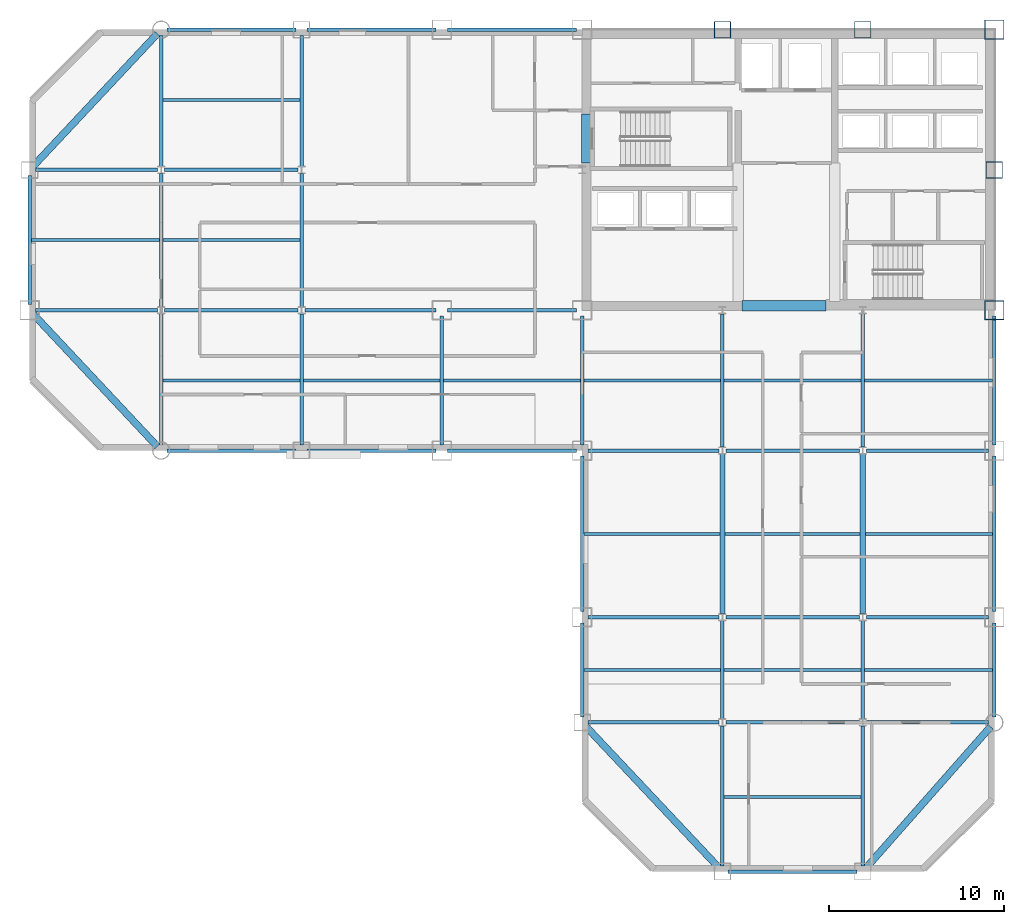
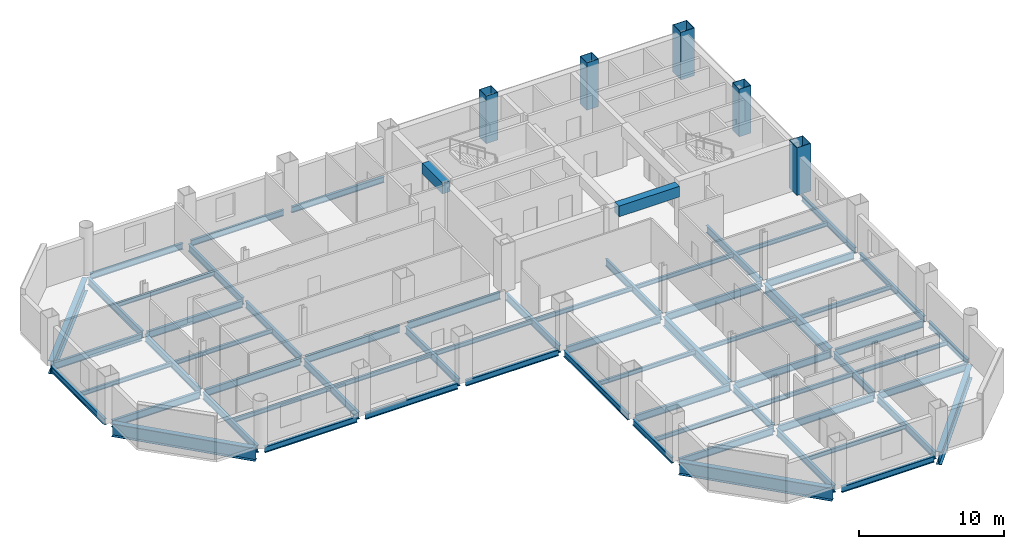
# One storey, part 4 of 10: 66 beams, 5 columns.
"""IFC4 building model written with IfcOpenShell, lengths in metres."""

from ifc_helpers import new_model, si_unit, direction, frame, origin, origin_2d, place, context, subcontext, project, spatial, rectangle, hollow_rectangle, i_section, extrude, material, material_profile, profile_set, type_object, element, save


model = new_model("IFC4")

# Units and contexts
model_context = context("Model", 3, precision=1e-05, world=origin(), true_north=direction((0.0, 1.0)))
body_context = subcontext(model_context, "Body", "Model", "MODEL_VIEW")
ifc_project = project(units=[si_unit("LENGTHUNIT", "METRE"), si_unit("AREAUNIT", "SQUARE_METRE"), si_unit("VOLUMEUNIT", "CUBIC_METRE"), si_unit("PLANEANGLEUNIT", "RADIAN"), si_unit("MASSUNIT", "GRAM", prefix="KILO")], contexts=[model_context])

# Site, building, storey
site_placement = place(None, origin())
site = spatial("IfcSite", under=ifc_project, at=site_placement, CompositionType="ELEMENT")
building_placement = place(site_placement, origin())
building = spatial("IfcBuilding", under=site, at=building_placement, Name="Qianrong Seaharbour Tower", CompositionType="ELEMENT")
storey_placement = place(building_placement, frame((0.0, 0.0, 191.0)))
storey = spatial("IfcBuildingStorey", under=building, at=storey_placement, Name="L46", CompositionType="ELEMENT", Elevation=191.0)

# Columns
ifc_material_1 = material(Name="Structural steel SN490B", Category="steel")
ifc_material_profile_1 = material_profile(ifc_material_1, hollow_rectangle(XDim=1.10009765625, YDim=1.10009765625, WallThickness=0.0400390625, at=origin_2d()), Name="BOX1100x1100x40")
ifc_profile_set_1 = profile_set([ifc_material_profile_1], Name="Structural steel SN490B")
column_type_1 = type_object("IfcColumnType", Name="COL-CFT-1100", PredefinedType="COLUMN", material=ifc_profile_set_1)
for number, where, z_axis, x_axis, name in (
    (1, (64.0, 36.0, 0.0), (0.0, 0.0, 1.0), (1.0, 0.0, 0.0), "L46 Column MC-3 at G9/GF"),
    (2, (64.0, 52.0, 0.0), (0.0, 0.0, 1.0), (1.0, 0.0, 0.0), "L46 Column MC-3 at G9/GH"),
):
    element("IfcColumn", number, at=place(storey_placement, frame(where, z_axis=z_axis, x_axis=x_axis)), inside=storey, type_object=column_type_1, Name=name, PredefinedType="COLUMN", context=body_context, shape_type="SweptSolid", body=[
        extrude(hollow_rectangle(XDim=1.10009765625, YDim=1.10009765625, WallThickness=0.0400390625, at=origin_2d()), origin(), (0.0, 0.0, 1.0), 4.0),
    ])
ifc_material_profile_2 = material_profile(ifc_material_1, hollow_rectangle(XDim=0.949951171875, YDim=0.949951171875, WallThickness=0.035888671875, at=origin_2d()), Name="BOX950x950x36")
ifc_profile_set_2 = profile_set([ifc_material_profile_2], Name="Structural steel SN490B")
column_type_2 = type_object("IfcColumnType", Name="COL-PER-950", PredefinedType="COLUMN", material=ifc_profile_set_2)
for number, where, z_axis, x_axis, name in (
    (3, (48.5, 52.0, 0.0), (0.0, 0.0, 1.0), (1.0, 0.0, 0.0), "L46 Column PC-2 at G7/GH"),
    (4, (56.5, 52.0, 0.0), (0.0, 0.0, 1.0), (1.0, 0.0, 0.0), "L46 Column PC-2 at G8/GH"),
    (5, (64.0, 44.0, 0.0), (0.0, 0.0, 1.0), (1.0, 0.0, 0.0), "L46 Column PC-2 at G9/GG"),
):
    element("IfcColumn", number, at=place(storey_placement, frame(where, z_axis=z_axis, x_axis=x_axis)), inside=storey, type_object=column_type_2, Name=name, PredefinedType="COLUMN", context=body_context, shape_type="SweptSolid", body=[
        extrude(hollow_rectangle(XDim=0.949951171875, YDim=0.949951171875, WallThickness=0.035888671875, at=origin_2d()), origin(), (0.0, 0.0, 1.0), 4.0),
    ])

# Beams
ifc_material_profile_3 = material_profile(ifc_material_1, i_section(OverallWidth=0.199951171875, OverallDepth=0.60009765625, WebThickness=0.010986328125, FlangeThickness=0.01708984375, FilletRadius=0.02197265625, at=origin_2d()), Name="H600x200x11x17")
ifc_profile_set_3 = profile_set([ifc_material_profile_3], Name="Structural steel SN490B")
beam_type_1 = type_object("IfcBeamType", Name="BM-G-600", PredefinedType="BEAM", material=ifc_profile_set_3)
beam_1_placement = place(storey_placement, frame((40.820068359375, 12.5, -0.534912109375), z_axis=(1.0, 0.0, 0.0), x_axis=(0.0, 1.0, 0.0)))
element("IfcBeam", 6, at=beam_1_placement, inside=storey, type_object=beam_type_1, Name="L46 Primary Girder GC G6-G7", PredefinedType="BEAM", context=body_context, shape_type="SweptSolid", body=[
    extrude(i_section(OverallWidth=0.199951171875, OverallDepth=0.60009765625, WebThickness=0.010986328125, FlangeThickness=0.01708984375, FilletRadius=0.02197265625, at=origin_2d()), origin(), (0.0, 0.0, 1.0), 7.47998046875),
])
beam_2_placement = place(storey_placement, frame((48.699951171875, 12.5, -0.534912109375), z_axis=(1.0, 0.0, 0.0), x_axis=(0.0, 1.0, 0.0)))
element("IfcBeam", 7, at=beam_2_placement, inside=storey, type_object=beam_type_1, Name="L46 Primary Girder GC G7-G8", PredefinedType="BEAM", context=body_context, shape_type="SweptSolid", body=[
    extrude(i_section(OverallWidth=0.199951171875, OverallDepth=0.60009765625, WebThickness=0.010986328125, FlangeThickness=0.01708984375, FilletRadius=0.02197265625, at=origin_2d()), origin(), (0.0, 0.0, 1.0), 7.60009765625),
])
beam_3_placement = place(storey_placement, frame((56.699951171875, 12.5, -0.534912109375), z_axis=(1.0, 0.0, 0.0), x_axis=(0.0, 1.0, 0.0)))
element("IfcBeam", 8, at=beam_3_placement, inside=storey, type_object=beam_type_1, Name="L46 Primary Girder GC G8-G9", PredefinedType="BEAM", context=body_context, shape_type="SweptSolid", body=[
    extrude(i_section(OverallWidth=0.199951171875, OverallDepth=0.60009765625, WebThickness=0.010986328125, FlangeThickness=0.01708984375, FilletRadius=0.02197265625, at=origin_2d()), origin(), (0.0, 0.0, 1.0), 6.97998046875),
])
beam_4_placement = place(storey_placement, frame((40.820068359375, 18.5, -0.534912109375), z_axis=(1.0, 0.0, 0.0), x_axis=(0.0, 1.0, 0.0)))
element("IfcBeam", 9, at=beam_4_placement, inside=storey, type_object=beam_type_1, Name="L46 Primary Girder GD G6-G7", PredefinedType="BEAM", context=body_context, shape_type="SweptSolid", body=[
    extrude(i_section(OverallWidth=0.199951171875, OverallDepth=0.60009765625, WebThickness=0.010986328125, FlangeThickness=0.01708984375, FilletRadius=0.02197265625, at=origin_2d()), origin(), (0.0, 0.0, 1.0), 7.47998046875),
])
beam_5_placement = place(storey_placement, frame((48.699951171875, 18.5, -0.534912109375), z_axis=(1.0, 0.0, 0.0), x_axis=(0.0, 1.0, 0.0)))
element("IfcBeam", 10, at=beam_5_placement, inside=storey, type_object=beam_type_1, Name="L46 Primary Girder GD G7-G8", PredefinedType="BEAM", context=body_context, shape_type="SweptSolid", body=[
    extrude(i_section(OverallWidth=0.199951171875, OverallDepth=0.60009765625, WebThickness=0.010986328125, FlangeThickness=0.01708984375, FilletRadius=0.02197265625, at=origin_2d()), origin(), (0.0, 0.0, 1.0), 7.60009765625),
])
beam_6_placement = place(storey_placement, frame((56.699951171875, 18.5, -0.534912109375), z_axis=(1.0, 0.0, 0.0), x_axis=(0.0, 1.0, 0.0)))
element("IfcBeam", 11, at=beam_6_placement, inside=storey, type_object=beam_type_1, Name="L46 Primary Girder GD G8-G9", PredefinedType="BEAM", context=body_context, shape_type="SweptSolid", body=[
    extrude(i_section(OverallWidth=0.199951171875, OverallDepth=0.60009765625, WebThickness=0.010986328125, FlangeThickness=0.01708984375, FilletRadius=0.02197265625, at=origin_2d()), origin(), (0.0, 0.0, 1.0), 6.97998046875),
])
beam_7_placement = place(storey_placement, frame((40.820068359375, 28.0, -0.534912109375), z_axis=(1.0, 0.0, 0.0), x_axis=(0.0, 1.0, 0.0)))
element("IfcBeam", 12, at=beam_7_placement, inside=storey, type_object=beam_type_1, Name="L46 Primary Girder GE G6-G7", PredefinedType="BEAM", context=body_context, shape_type="SweptSolid", body=[
    extrude(i_section(OverallWidth=0.199951171875, OverallDepth=0.60009765625, WebThickness=0.010986328125, FlangeThickness=0.01708984375, FilletRadius=0.02197265625, at=origin_2d()), origin(), (0.0, 0.0, 1.0), 7.47998046875),
])
beam_8_placement = place(storey_placement, frame((48.699951171875, 28.0, -0.534912109375), z_axis=(1.0, 0.0, 0.0), x_axis=(0.0, 1.0, 0.0)))
element("IfcBeam", 13, at=beam_8_placement, inside=storey, type_object=beam_type_1, Name="L46 Primary Girder GE G7-G8", PredefinedType="BEAM", context=body_context, shape_type="SweptSolid", body=[
    extrude(i_section(OverallWidth=0.199951171875, OverallDepth=0.60009765625, WebThickness=0.010986328125, FlangeThickness=0.01708984375, FilletRadius=0.02197265625, at=origin_2d()), origin(), (0.0, 0.0, 1.0), 7.60009765625),
])
for number, where, z_axis, x_axis, name in (
    (14, (56.699951171875, 28.0, -0.534912109375), (1.0, 0.0, 0.0), (0.0, 1.0, 0.0), "L46 Primary Girder GE G8-G9"),
    (15, (9.320068359375, 36.0, -0.534912109375), (1.0, 0.0, 0.0), (0.0, 1.0, 0.0), "L46 Primary Girder GF G2-G3"),
):
    element("IfcBeam", number, at=place(storey_placement, frame(where, z_axis=z_axis, x_axis=x_axis)), inside=storey, type_object=beam_type_1, Name=name, PredefinedType="BEAM", context=body_context, shape_type="SweptSolid", body=[
        extrude(i_section(OverallWidth=0.199951171875, OverallDepth=0.60009765625, WebThickness=0.010986328125, FlangeThickness=0.01708984375, FilletRadius=0.02197265625, at=origin_2d()), origin(), (0.0, 0.0, 1.0), 6.97998046875),
    ])
beam_9_placement = place(storey_placement, frame((16.699951171875, 36.0, -0.534912109375), z_axis=(1.0, 0.0, 0.0), x_axis=(0.0, 1.0, 0.0)))
element("IfcBeam", 16, at=beam_9_placement, inside=storey, type_object=beam_type_1, Name="L46 Primary Girder GF G3-G4", PredefinedType="BEAM", context=body_context, shape_type="SweptSolid", body=[
    extrude(i_section(OverallWidth=0.199951171875, OverallDepth=0.60009765625, WebThickness=0.010986328125, FlangeThickness=0.01708984375, FilletRadius=0.02197265625, at=origin_2d()), origin(), (0.0, 0.0, 1.0), 7.60009765625),
])
beam_10_placement = place(storey_placement, frame((24.699951171875, 36.0, -0.534912109375), z_axis=(1.0, 0.0, 0.0), x_axis=(0.0, 1.0, 0.0)))
element("IfcBeam", 17, at=beam_10_placement, inside=storey, type_object=beam_type_1, Name="L46 Primary Girder GF G4-G5", PredefinedType="BEAM", context=body_context, shape_type="SweptSolid", body=[
    extrude(i_section(OverallWidth=0.199951171875, OverallDepth=0.60009765625, WebThickness=0.010986328125, FlangeThickness=0.01708984375, FilletRadius=0.02197265625, at=origin_2d()), origin(), (0.0, 0.0, 1.0), 7.47998046875),
])
beam_11_placement = place(storey_placement, frame((32.820068359375, 36.0, -0.534912109375), z_axis=(1.0, 0.0, 0.0), x_axis=(0.0, 1.0, 0.0)))
element("IfcBeam", 18, at=beam_11_placement, inside=storey, type_object=beam_type_1, Name="L46 Primary Girder GF G5-G6", PredefinedType="BEAM", context=body_context, shape_type="SweptSolid", body=[
    extrude(i_section(OverallWidth=0.199951171875, OverallDepth=0.60009765625, WebThickness=0.010986328125, FlangeThickness=0.01708984375, FilletRadius=0.02197265625, at=origin_2d()), origin(), (0.0, 0.0, 1.0), 7.35986328125),
])
beam_12_placement = place(storey_placement, frame((9.320068359375, 44.0, -0.534912109375), z_axis=(1.0, 0.0, 0.0), x_axis=(0.0, 1.0, 0.0)))
element("IfcBeam", 19, at=beam_12_placement, inside=storey, type_object=beam_type_1, Name="L46 Primary Girder GG G2-G3", PredefinedType="BEAM", context=body_context, shape_type="SweptSolid", body=[
    extrude(i_section(OverallWidth=0.199951171875, OverallDepth=0.60009765625, WebThickness=0.010986328125, FlangeThickness=0.01708984375, FilletRadius=0.02197265625, at=origin_2d()), origin(), (0.0, 0.0, 1.0), 6.97998046875),
])
beam_13_placement = place(storey_placement, frame((16.699951171875, 44.0, -0.534912109375), z_axis=(1.0, 0.0, 0.0), x_axis=(0.0, 1.0, 0.0)))
element("IfcBeam", 20, at=beam_13_placement, inside=storey, type_object=beam_type_1, Name="L46 Primary Girder GG G3-G4", PredefinedType="BEAM", context=body_context, shape_type="SweptSolid", body=[
    extrude(i_section(OverallWidth=0.199951171875, OverallDepth=0.60009765625, WebThickness=0.010986328125, FlangeThickness=0.01708984375, FilletRadius=0.02197265625, at=origin_2d()), origin(), (0.0, 0.0, 1.0), 7.60009765625),
])
beam_14_placement = place(storey_placement, frame((16.5, 28.320068359375, -0.534912109375), z_axis=(0.0, 1.0, 0.0), x_axis=(-1.0, 0.0, 0.0)))
element("IfcBeam", 21, at=beam_14_placement, inside=storey, type_object=beam_type_1, Name="L46 Primary Girder G3 GE-GF", PredefinedType="BEAM", context=body_context, shape_type="SweptSolid", body=[
    extrude(i_section(OverallWidth=0.199951171875, OverallDepth=0.60009765625, WebThickness=0.010986328125, FlangeThickness=0.01708984375, FilletRadius=0.02197265625, at=origin_2d()), origin(), (0.0, 0.0, 1.0), 7.47998046875),
])
beam_15_placement = place(storey_placement, frame((16.5, 36.199951171875, -0.534912109375), z_axis=(0.0, 1.0, 0.0), x_axis=(-1.0, 0.0, 0.0)))
element("IfcBeam", 22, at=beam_15_placement, inside=storey, type_object=beam_type_1, Name="L46 Primary Girder G3 GF-GG", PredefinedType="BEAM", context=body_context, shape_type="SweptSolid", body=[
    extrude(i_section(OverallWidth=0.199951171875, OverallDepth=0.60009765625, WebThickness=0.010986328125, FlangeThickness=0.01708984375, FilletRadius=0.02197265625, at=origin_2d()), origin(), (0.0, 0.0, 1.0), 7.60009765625),
])
for number, where, z_axis, x_axis, name in (
    (23, (16.5, 44.199951171875, -0.534912109375), (0.0, 1.0, 0.0), (-1.0, 0.0, 0.0), "L46 Primary Girder G3 GG-GH"),
    (24, (24.5, 28.320068359375, -0.534912109375), (0.0, 1.0, 0.0), (-1.0, 0.0, 0.0), "L46 Primary Girder G4 GE-GF"),
):
    element("IfcBeam", number, at=place(storey_placement, frame(where, z_axis=z_axis, x_axis=x_axis)), inside=storey, type_object=beam_type_1, Name=name, PredefinedType="BEAM", context=body_context, shape_type="SweptSolid", body=[
        extrude(i_section(OverallWidth=0.199951171875, OverallDepth=0.60009765625, WebThickness=0.010986328125, FlangeThickness=0.01708984375, FilletRadius=0.02197265625, at=origin_2d()), origin(), (0.0, 0.0, 1.0), 7.47998046875),
    ])
beam_16_placement = place(storey_placement, frame((24.5, 36.199951171875, -0.534912109375), z_axis=(0.0, 1.0, 0.0), x_axis=(-1.0, 0.0, 0.0)))
element("IfcBeam", 25, at=beam_16_placement, inside=storey, type_object=beam_type_1, Name="L46 Primary Girder G4 GF-GG", PredefinedType="BEAM", context=body_context, shape_type="SweptSolid", body=[
    extrude(i_section(OverallWidth=0.199951171875, OverallDepth=0.60009765625, WebThickness=0.010986328125, FlangeThickness=0.01708984375, FilletRadius=0.02197265625, at=origin_2d()), origin(), (0.0, 0.0, 1.0), 7.60009765625),
])
beam_17_placement = place(storey_placement, frame((24.5, 44.199951171875, -0.534912109375), z_axis=(0.0, 1.0, 0.0), x_axis=(-1.0, 0.0, 0.0)))
element("IfcBeam", 26, at=beam_17_placement, inside=storey, type_object=beam_type_1, Name="L46 Primary Girder G4 GG-GH", PredefinedType="BEAM", context=body_context, shape_type="SweptSolid", body=[
    extrude(i_section(OverallWidth=0.199951171875, OverallDepth=0.60009765625, WebThickness=0.010986328125, FlangeThickness=0.01708984375, FilletRadius=0.02197265625, at=origin_2d()), origin(), (0.0, 0.0, 1.0), 7.47998046875),
])
for number, where, z_axis, x_axis, name in (
    (27, (32.5, 28.320068359375, -0.534912109375), (0.0, 1.0, 0.0), (-1.0, 0.0, 0.0), "L46 Primary Girder G5 GE-GF"),
    (28, (40.5, 28.320068359375, -0.534912109375), (0.0, 1.0, 0.0), (-1.0, 0.0, 0.0), "L46 Primary Girder G6 GE-GF"),
):
    element("IfcBeam", number, at=place(storey_placement, frame(where, z_axis=z_axis, x_axis=x_axis)), inside=storey, type_object=beam_type_1, Name=name, PredefinedType="BEAM", context=body_context, shape_type="SweptSolid", body=[
        extrude(i_section(OverallWidth=0.199951171875, OverallDepth=0.60009765625, WebThickness=0.010986328125, FlangeThickness=0.01708984375, FilletRadius=0.02197265625, at=origin_2d()), origin(), (0.0, 0.0, 1.0), 7.35986328125),
    ])
beam_18_placement = place(storey_placement, frame((48.5, 4.320068359375, -0.534912109375), z_axis=(0.0, 1.0, 0.0), x_axis=(-1.0, 0.0, 0.0)))
element("IfcBeam", 29, at=beam_18_placement, inside=storey, type_object=beam_type_1, Name="L46 Primary Girder G7 GB-GC", PredefinedType="BEAM", context=body_context, shape_type="SweptSolid", body=[
    extrude(i_section(OverallWidth=0.199951171875, OverallDepth=0.60009765625, WebThickness=0.010986328125, FlangeThickness=0.01708984375, FilletRadius=0.02197265625, at=origin_2d()), origin(), (0.0, 0.0, 1.0), 7.97998046875),
])
beam_19_placement = place(storey_placement, frame((48.5, 12.699951171875, -0.534912109375), z_axis=(0.0, 1.0, 0.0), x_axis=(-1.0, 0.0, 0.0)))
element("IfcBeam", 30, at=beam_19_placement, inside=storey, type_object=beam_type_1, Name="L46 Primary Girder G7 GC-GD", PredefinedType="BEAM", context=body_context, shape_type="SweptSolid", body=[
    extrude(i_section(OverallWidth=0.199951171875, OverallDepth=0.60009765625, WebThickness=0.010986328125, FlangeThickness=0.01708984375, FilletRadius=0.02197265625, at=origin_2d()), origin(), (0.0, 0.0, 1.0), 5.60009765625),
])
beam_20_placement = place(storey_placement, frame((48.5, 28.199951171875, -0.534912109375), z_axis=(0.0, 1.0, 0.0), x_axis=(-1.0, 0.0, 0.0)))
element("IfcBeam", 31, at=beam_20_placement, inside=storey, type_object=beam_type_1, Name="L46 Primary Girder G7 GE-GF", PredefinedType="BEAM", context=body_context, shape_type="SweptSolid", body=[
    extrude(i_section(OverallWidth=0.199951171875, OverallDepth=0.60009765625, WebThickness=0.010986328125, FlangeThickness=0.01708984375, FilletRadius=0.02197265625, at=origin_2d()), origin(), (0.0, 0.0, 1.0), 7.60009765625),
])
beam_21_placement = place(storey_placement, frame((56.5, 4.320068359375, -0.534912109375), z_axis=(0.0, 1.0, 0.0), x_axis=(-1.0, 0.0, 0.0)))
element("IfcBeam", 32, at=beam_21_placement, inside=storey, type_object=beam_type_1, Name="L46 Primary Girder G8 GB-GC", PredefinedType="BEAM", context=body_context, shape_type="SweptSolid", body=[
    extrude(i_section(OverallWidth=0.199951171875, OverallDepth=0.60009765625, WebThickness=0.010986328125, FlangeThickness=0.01708984375, FilletRadius=0.02197265625, at=origin_2d()), origin(), (0.0, 0.0, 1.0), 7.97998046875),
])
beam_22_placement = place(storey_placement, frame((56.5, 12.699951171875, -0.534912109375), z_axis=(0.0, 1.0, 0.0), x_axis=(-1.0, 0.0, 0.0)))
element("IfcBeam", 33, at=beam_22_placement, inside=storey, type_object=beam_type_1, Name="L46 Primary Girder G8 GC-GD", PredefinedType="BEAM", context=body_context, shape_type="SweptSolid", body=[
    extrude(i_section(OverallWidth=0.199951171875, OverallDepth=0.60009765625, WebThickness=0.010986328125, FlangeThickness=0.01708984375, FilletRadius=0.02197265625, at=origin_2d()), origin(), (0.0, 0.0, 1.0), 5.60009765625),
])
beam_23_placement = place(storey_placement, frame((56.5, 28.199951171875, -0.534912109375), z_axis=(0.0, 1.0, 0.0), x_axis=(-1.0, 0.0, 0.0)))
element("IfcBeam", 34, at=beam_23_placement, inside=storey, type_object=beam_type_1, Name="L46 Primary Girder G8 GE-GF", PredefinedType="BEAM", context=body_context, shape_type="SweptSolid", body=[
    extrude(i_section(OverallWidth=0.199951171875, OverallDepth=0.60009765625, WebThickness=0.010986328125, FlangeThickness=0.01708984375, FilletRadius=0.02197265625, at=origin_2d()), origin(), (0.0, 0.0, 1.0), 7.60009765625),
])
ifc_material_profile_4 = material_profile(ifc_material_1, i_section(OverallWidth=0.300048828125, OverallDepth=0.800048828125, WebThickness=0.013916015625, FlangeThickness=0.02587890625, FilletRadius=0.028076171875, at=origin_2d()), Name="H800x300x14x26")
ifc_profile_set_4 = profile_set([ifc_material_profile_4], Name="Structural steel SN490B")
beam_type_2 = type_object("IfcBeamType", Name="BM-G-800", PredefinedType="BEAM", material=ifc_profile_set_4)
for number, where, z_axis, x_axis, name in (
    (35, (48.5, 18.699951171875, -0.635009765625), (0.0, 1.0, 0.0), (-1.0, 0.0, 0.0), "L46 Primary Girder G7 GD-GE"),
    (36, (56.5, 18.699951171875, -0.635009765625), (0.0, 1.0, 0.0), (-1.0, 0.0, 0.0), "L46 Primary Girder G8 GD-GE"),
):
    element("IfcBeam", number, at=place(storey_placement, frame(where, z_axis=z_axis, x_axis=x_axis)), inside=storey, type_object=beam_type_2, Name=name, PredefinedType="BEAM", context=body_context, shape_type="SweptSolid", body=[
        extrude(i_section(OverallWidth=0.300048828125, OverallDepth=0.800048828125, WebThickness=0.013916015625, FlangeThickness=0.02587890625, FilletRadius=0.028076171875, at=origin_2d()), origin(), (0.0, 0.0, 1.0), 9.10009765625),
    ])
ifc_material_2 = material(Name="Structural steel SN400B", Category="steel")
ifc_material_profile_5 = material_profile(ifc_material_2, i_section(OverallWidth=0.175048828125, OverallDepth=0.35009765625, WebThickness=0.007080078125, FlangeThickness=0.010986328125, FilletRadius=0.013916015625, at=origin_2d()), Name="H350x175x7x11")
ifc_profile_set_5 = profile_set([ifc_material_profile_5], Name="Structural steel SN400B")
beam_type_3 = type_object("IfcBeamType", Name="BM-J-350", PredefinedType="JOIST", material=ifc_profile_set_5)
beam_24_placement = place(storey_placement, frame((9.10009765625, 40.0, -0.409912109375), z_axis=(1.0, 0.0, 0.0), x_axis=(0.0, 1.0, 0.0)))
element("IfcBeam", 37, at=beam_24_placement, inside=storey, type_object=beam_type_3, Name="L46 Composite Floor Joist G2-G3/GF-GG", PredefinedType="JOIST", context=body_context, shape_type="SweptSolid", body=[
    extrude(i_section(OverallWidth=0.175048828125, OverallDepth=0.35009765625, WebThickness=0.007080078125, FlangeThickness=0.010986328125, FilletRadius=0.013916015625, at=origin_2d()), origin(), (0.0, 0.0, 1.0), 7.2998046875),
])
for number, where, z_axis, x_axis, name in (
    (38, (16.60009765625, 32.0, -0.409912109375), (1.0, 0.0, 0.0), (0.0, 1.0, 0.0), "L46 Composite Floor Joist G3-G4/GE-GF"),
    (39, (16.60009765625, 40.0, -0.409912109375), (1.0, 0.0, 0.0), (0.0, 1.0, 0.0), "L46 Composite Floor Joist G3-G4/GF-GG"),
    (40, (16.60009765625, 48.0, -0.409912109375), (1.0, 0.0, 0.0), (0.0, 1.0, 0.0), "L46 Composite Floor Joist G3-G4/GG-GH"),
    (41, (24.60009765625, 32.0, -0.409912109375), (1.0, 0.0, 0.0), (0.0, 1.0, 0.0), "L46 Composite Floor Joist G4-G5/GE-GF"),
    (42, (32.60009765625, 32.0, -0.409912109375), (1.0, 0.0, 0.0), (0.0, 1.0, 0.0), "L46 Composite Floor Joist G5-G6/GE-GF"),
    (43, (40.60009765625, 15.5, -0.409912109375), (1.0, 0.0, 0.0), (0.0, 1.0, 0.0), "L46 Composite Floor Joist G6-G7/GC-GD"),
):
    element("IfcBeam", number, at=place(storey_placement, frame(where, z_axis=z_axis, x_axis=x_axis)), inside=storey, type_object=beam_type_3, Name=name, PredefinedType="JOIST", context=body_context, shape_type="SweptSolid", body=[
        extrude(i_section(OverallWidth=0.175048828125, OverallDepth=0.35009765625, WebThickness=0.007080078125, FlangeThickness=0.010986328125, FilletRadius=0.013916015625, at=origin_2d()), origin(), (0.0, 0.0, 1.0), 7.7998046875),
    ])
beam_25_placement = place(storey_placement, frame((40.60009765625, 23.25, -0.409912109375), z_axis=(1.0, 0.0, 0.0), x_axis=(0.0, 1.0, 0.0)))
element("IfcBeam", 44, at=beam_25_placement, inside=storey, type_object=beam_type_3, Name="L46 Composite Floor Joist G6-G7/GD-GE", PredefinedType="JOIST", context=body_context, shape_type="SweptSolid", body=[
    extrude(i_section(OverallWidth=0.175048828125, OverallDepth=0.35009765625, WebThickness=0.007080078125, FlangeThickness=0.010986328125, FilletRadius=0.013916015625, at=origin_2d()), origin(), (0.0, 0.0, 1.0), 7.75),
])
for number, where, z_axis, x_axis, name in (
    (45, (40.60009765625, 32.0, -0.409912109375), (1.0, 0.0, 0.0), (0.0, 1.0, 0.0), "L46 Composite Floor Joist G6-G7/GE-GF"),
    (46, (48.60009765625, 8.25, -0.409912109375), (1.0, 0.0, 0.0), (0.0, 1.0, 0.0), "L46 Composite Floor Joist G7-G8/GB-GC"),
    (47, (48.60009765625, 15.5, -0.409912109375), (1.0, 0.0, 0.0), (0.0, 1.0, 0.0), "L46 Composite Floor Joist G7-G8/GC-GD"),
):
    element("IfcBeam", number, at=place(storey_placement, frame(where, z_axis=z_axis, x_axis=x_axis)), inside=storey, type_object=beam_type_3, Name=name, PredefinedType="JOIST", context=body_context, shape_type="SweptSolid", body=[
        extrude(i_section(OverallWidth=0.175048828125, OverallDepth=0.35009765625, WebThickness=0.007080078125, FlangeThickness=0.010986328125, FilletRadius=0.013916015625, at=origin_2d()), origin(), (0.0, 0.0, 1.0), 7.7998046875),
    ])
beam_26_placement = place(storey_placement, frame((48.64990234375, 23.25, -0.409912109375), z_axis=(1.0, 0.0, 0.0), x_axis=(0.0, 1.0, 0.0)))
element("IfcBeam", 48, at=beam_26_placement, inside=storey, type_object=beam_type_3, Name="L46 Composite Floor Joist G7-G8/GD-GE", PredefinedType="JOIST", context=body_context, shape_type="SweptSolid", body=[
    extrude(i_section(OverallWidth=0.175048828125, OverallDepth=0.35009765625, WebThickness=0.007080078125, FlangeThickness=0.010986328125, FilletRadius=0.013916015625, at=origin_2d()), origin(), (0.0, 0.0, 1.0), 7.7001953125),
])
beam_27_placement = place(storey_placement, frame((48.60009765625, 32.0, -0.409912109375), z_axis=(1.0, 0.0, 0.0), x_axis=(0.0, 1.0, 0.0)))
element("IfcBeam", 49, at=beam_27_placement, inside=storey, type_object=beam_type_3, Name="L46 Composite Floor Joist G7-G8/GE-GF", PredefinedType="JOIST", context=body_context, shape_type="SweptSolid", body=[
    extrude(i_section(OverallWidth=0.175048828125, OverallDepth=0.35009765625, WebThickness=0.007080078125, FlangeThickness=0.010986328125, FilletRadius=0.013916015625, at=origin_2d()), origin(), (0.0, 0.0, 1.0), 7.7998046875),
])
beam_28_placement = place(storey_placement, frame((56.60009765625, 15.5, -0.409912109375), z_axis=(1.0, 0.0, 0.0), x_axis=(0.0, 1.0, 0.0)))
element("IfcBeam", 50, at=beam_28_placement, inside=storey, type_object=beam_type_3, Name="L46 Composite Floor Joist G8-G9/GC-GD", PredefinedType="JOIST", context=body_context, shape_type="SweptSolid", body=[
    extrude(i_section(OverallWidth=0.175048828125, OverallDepth=0.35009765625, WebThickness=0.007080078125, FlangeThickness=0.010986328125, FilletRadius=0.013916015625, at=origin_2d()), origin(), (0.0, 0.0, 1.0), 7.2998046875),
])
beam_29_placement = place(storey_placement, frame((56.64990234375, 23.25, -0.409912109375), z_axis=(1.0, 0.0, 0.0), x_axis=(0.0, 1.0, 0.0)))
element("IfcBeam", 51, at=beam_29_placement, inside=storey, type_object=beam_type_3, Name="L46 Composite Floor Joist G8-G9/GD-GE", PredefinedType="JOIST", context=body_context, shape_type="SweptSolid", body=[
    extrude(i_section(OverallWidth=0.175048828125, OverallDepth=0.35009765625, WebThickness=0.007080078125, FlangeThickness=0.010986328125, FilletRadius=0.013916015625, at=origin_2d()), origin(), (0.0, 0.0, 1.0), 7.25),
])
beam_30_placement = place(storey_placement, frame((56.60009765625, 32.0, -0.409912109375), z_axis=(1.0, 0.0, 0.0), x_axis=(0.0, 1.0, 0.0)))
element("IfcBeam", 52, at=beam_30_placement, inside=storey, type_object=beam_type_3, Name="L46 Composite Floor Joist G8-G9/GE-GF", PredefinedType="JOIST", context=body_context, shape_type="SweptSolid", body=[
    extrude(i_section(OverallWidth=0.175048828125, OverallDepth=0.35009765625, WebThickness=0.007080078125, FlangeThickness=0.010986328125, FilletRadius=0.013916015625, at=origin_2d()), origin(), (0.0, 0.0, 1.0), 7.2998046875),
])
ifc_material_3 = material(Name="Concrete C70/85", Category="concrete")
ifc_material_profile_6 = material_profile(ifc_material_3, rectangle(XDim=0.60009765625, YDim=0.89990234375, at=origin_2d()), Name="RC600x900")
ifc_profile_set_6 = profile_set([ifc_material_profile_6], Name="Concrete C70/85")
beam_type_4 = type_object("IfcBeamType", Name="BM-LINTEL-900", PredefinedType="LINTEL", material=ifc_profile_set_6)
beam_31_placement = place(storey_placement, frame((40.75, 44.39990234375, 3.199951171875), z_axis=(0.0, 1.0, 0.0), x_axis=(-1.0, 0.0, 0.0)))
element("IfcBeam", 53, at=beam_31_placement, inside=storey, type_object=beam_type_4, Name="L46 Core Coupling Lintel Beam West", PredefinedType="LINTEL", context=body_context, shape_type="SweptSolid", body=[
    extrude(rectangle(XDim=0.60009765625, YDim=0.89990234375, at=origin_2d()), origin(), (0.0, 0.0, 1.0), 2.800048828125),
])
beam_32_placement = place(storey_placement, frame((49.60009765625, 36.25, 3.199951171875), z_axis=(1.0, 0.0, 0.0), x_axis=(0.0, 1.0, 0.0)))
element("IfcBeam", 54, at=beam_32_placement, inside=storey, type_object=beam_type_4, Name="L46 Core Coupling Lintel Beam CBC", PredefinedType="LINTEL", context=body_context, shape_type="SweptSolid", body=[
    extrude(rectangle(XDim=0.60009765625, YDim=0.89990234375, at=origin_2d()), origin(), (0.0, 0.0, 1.0), 4.7998046875),
])
ifc_material_profile_7 = material_profile(ifc_material_1, i_section(OverallWidth=0.199951171875, OverallDepth=0.5, WebThickness=0.010009765625, FlangeThickness=0.01611328125, FilletRadius=0.02001953125, at=origin_2d()), Name="H500x200x10x16")
ifc_profile_set_7 = profile_set([ifc_material_profile_7], Name="Structural steel SN490B")
beam_type_5 = type_object("IfcBeamType", Name="BM-SP-500", PredefinedType="SPANDREL", material=ifc_profile_set_7)
for number, where, z_axis, x_axis, name in (
    (55, (48.820068359375, 4.0, -0.485107421875), (1.0, 0.0, 0.0), (0.0, 1.0, 0.0), "L46 Spandrel Girder GB G7-G8"),
    (56, (16.820068359375, 28.0, -0.485107421875), (1.0, 0.0, 0.0), (0.0, 1.0, 0.0), "L46 Spandrel Girder GE G3-G4"),
    (57, (24.820068359375, 28.0, -0.485107421875), (1.0, 0.0, 0.0), (0.0, 1.0, 0.0), "L46 Spandrel Girder GE G4-G5"),
    (58, (32.820068359375, 28.0, -0.485107421875), (1.0, 0.0, 0.0), (0.0, 1.0, 0.0), "L46 Spandrel Girder GE G5-G6"),
    (59, (16.820068359375, 52.0, -0.485107421875), (1.0, 0.0, 0.0), (0.0, 1.0, 0.0), "L46 Spandrel Girder GH G3-G4"),
    (60, (24.820068359375, 52.0, -0.485107421875), (1.0, 0.0, 0.0), (0.0, 1.0, 0.0), "L46 Spandrel Girder GH G4-G5"),
    (61, (32.820068359375, 52.0, -0.485107421875), (1.0, 0.0, 0.0), (0.0, 1.0, 0.0), "L46 Spandrel Girder GH G5-G6"),
    (62, (9.0, 36.320068359375, -0.485107421875), (0.0, 1.0, 0.0), (-1.0, 0.0, 0.0), "L46 Spandrel Girder G2 GF-GG"),
):
    element("IfcBeam", number, at=place(storey_placement, frame(where, z_axis=z_axis, x_axis=x_axis)), inside=storey, type_object=beam_type_5, Name=name, PredefinedType="SPANDREL", context=body_context, shape_type="SweptSolid", body=[
        extrude(i_section(OverallWidth=0.199951171875, OverallDepth=0.5, WebThickness=0.010009765625, FlangeThickness=0.01611328125, FilletRadius=0.02001953125, at=origin_2d()), origin(), (0.0, 0.0, 1.0), 7.35986328125),
    ])
beam_33_placement = place(storey_placement, frame((40.5, 12.820068359375, -0.485107421875), z_axis=(0.0, 1.0, 0.0), x_axis=(-1.0, 0.0, 0.0)))
element("IfcBeam", 63, at=beam_33_placement, inside=storey, type_object=beam_type_5, Name="L46 Spandrel Girder G6 GC-GD", PredefinedType="SPANDREL", context=body_context, shape_type="SweptSolid", body=[
    extrude(i_section(OverallWidth=0.199951171875, OverallDepth=0.5, WebThickness=0.010009765625, FlangeThickness=0.01611328125, FilletRadius=0.02001953125, at=origin_2d()), origin(), (0.0, 0.0, 1.0), 5.35986328125),
])
beam_34_placement = place(storey_placement, frame((40.5, 18.820068359375, -0.485107421875), z_axis=(0.0, 1.0, 0.0), x_axis=(-1.0, 0.0, 0.0)))
element("IfcBeam", 64, at=beam_34_placement, inside=storey, type_object=beam_type_5, Name="L46 Spandrel Girder G6 GD-GE", PredefinedType="SPANDREL", context=body_context, shape_type="SweptSolid", body=[
    extrude(i_section(OverallWidth=0.199951171875, OverallDepth=0.5, WebThickness=0.010009765625, FlangeThickness=0.01611328125, FilletRadius=0.02001953125, at=origin_2d()), origin(), (0.0, 0.0, 1.0), 8.85986328125),
])
beam_35_placement = place(storey_placement, frame((64.0, 12.820068359375, -0.485107421875), z_axis=(0.0, 1.0, 0.0), x_axis=(-1.0, 0.0, 0.0)))
element("IfcBeam", 65, at=beam_35_placement, inside=storey, type_object=beam_type_5, Name="L46 Spandrel Girder G9 GC-GD", PredefinedType="SPANDREL", context=body_context, shape_type="SweptSolid", body=[
    extrude(i_section(OverallWidth=0.199951171875, OverallDepth=0.5, WebThickness=0.010009765625, FlangeThickness=0.01611328125, FilletRadius=0.02001953125, at=origin_2d()), origin(), (0.0, 0.0, 1.0), 5.35986328125),
])
beam_36_placement = place(storey_placement, frame((64.0, 18.820068359375, -0.485107421875), z_axis=(0.0, 1.0, 0.0), x_axis=(-1.0, 0.0, 0.0)))
element("IfcBeam", 66, at=beam_36_placement, inside=storey, type_object=beam_type_5, Name="L46 Spandrel Girder G9 GD-GE", PredefinedType="SPANDREL", context=body_context, shape_type="SweptSolid", body=[
    extrude(i_section(OverallWidth=0.199951171875, OverallDepth=0.5, WebThickness=0.010009765625, FlangeThickness=0.01611328125, FilletRadius=0.02001953125, at=origin_2d()), origin(), (0.0, 0.0, 1.0), 8.85986328125),
])
beam_37_placement = place(storey_placement, frame((64.0, 28.320068359375, -0.485107421875), z_axis=(0.0, 1.0, 0.0), x_axis=(-1.0, 0.0, 0.0)))
element("IfcBeam", 67, at=beam_37_placement, inside=storey, type_object=beam_type_5, Name="L46 Spandrel Girder G9 GE-GF", PredefinedType="SPANDREL", context=body_context, shape_type="SweptSolid", body=[
    extrude(i_section(OverallWidth=0.199951171875, OverallDepth=0.5, WebThickness=0.010009765625, FlangeThickness=0.01611328125, FilletRadius=0.02001953125, at=origin_2d()), origin(), (0.0, 0.0, 1.0), 7.35986328125),
])
ifc_material_profile_8 = material_profile(ifc_material_1, i_section(OverallWidth=0.39990234375, OverallDepth=1.10009765625, WebThickness=0.02001953125, FlangeThickness=0.035888671875, at=origin_2d()), Name="BH1100x400x20x36")
ifc_profile_set_8 = profile_set([ifc_material_profile_8], Name="Structural steel SN490B")
beam_type_6 = type_object("IfcBeamType", Name="BM-TG-1100", PredefinedType="BEAM", material=ifc_profile_set_8)
for number, where, z_axis, x_axis, name in (
    (68, (16.28125, 28.2333984375, -0.784912109375), (-0.683947420573, 0.729531305628, 0.0), (-0.729531305628, -0.683947420573, 0.0), "L46 Chamfer Corner Spandrel Girder G2/GE"),
    (69, (16.28125, 51.7666015625, -0.784912109375), (-0.683947420573, -0.729531305628, 0.0), (0.729531305628, -0.683947420573, 0.0), "L46 Chamfer Corner Spandrel Girder G2/GH"),
):
    element("IfcBeam", number, at=place(storey_placement, frame(where, z_axis=z_axis, x_axis=x_axis)), inside=storey, type_object=beam_type_6, Name=name, PredefinedType="BEAM", context=body_context, shape_type="SweptSolid", body=[
        extrude(i_section(OverallWidth=0.39990234375, OverallDepth=1.10009765625, WebThickness=0.02001953125, FlangeThickness=0.035888671875, at=origin_2d()), origin(), (0.0, 0.0, 1.0), 10.326171875),
    ])
beam_38_placement = place(storey_placement, frame((48.28076171875, 4.23291015625, -0.784912109375), z_axis=(-0.685361938021, 0.728202591256, 0.0), x_axis=(-0.728202591256, -0.685361938021, 0.0)))
element("IfcBeam", 70, at=beam_38_placement, inside=storey, type_object=beam_type_6, Name="L46 Chamfer Corner Spandrel Girder G6/GB", PredefinedType="BEAM", context=body_context, shape_type="SweptSolid", body=[
    extrude(i_section(OverallWidth=0.39990234375, OverallDepth=1.10009765625, WebThickness=0.02001953125, FlangeThickness=0.035888671875, at=origin_2d()), origin(), (0.0, 0.0, 1.0), 11.032958984375),
])
beam_39_placement = place(storey_placement, frame((56.711669921875, 4.239990234375, -0.784912109375), z_axis=(0.661630696334, 0.749829861815, 0.0), x_axis=(-0.749829861815, 0.661630696334, 0.0)))
element("IfcBeam", 71, at=beam_39_placement, inside=storey, type_object=beam_type_6, Name="L46 Chamfer Corner Spandrel Girder G9/GB", PredefinedType="BEAM", context=body_context, shape_type="SweptSolid", body=[
    extrude(i_section(OverallWidth=0.39990234375, OverallDepth=1.10009765625, WebThickness=0.02001953125, FlangeThickness=0.035888671875, at=origin_2d()), origin(), (0.0, 0.0, 1.0), 10.69580078125),
])

save(model, "model.ifc")
